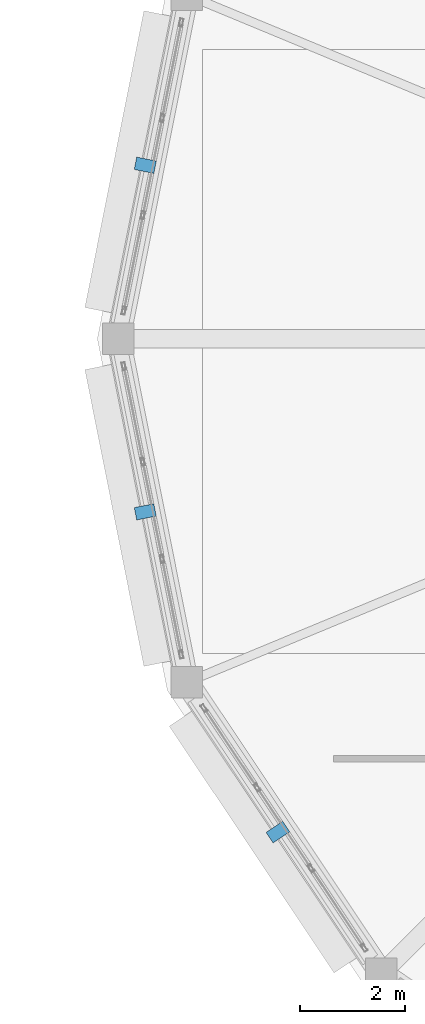
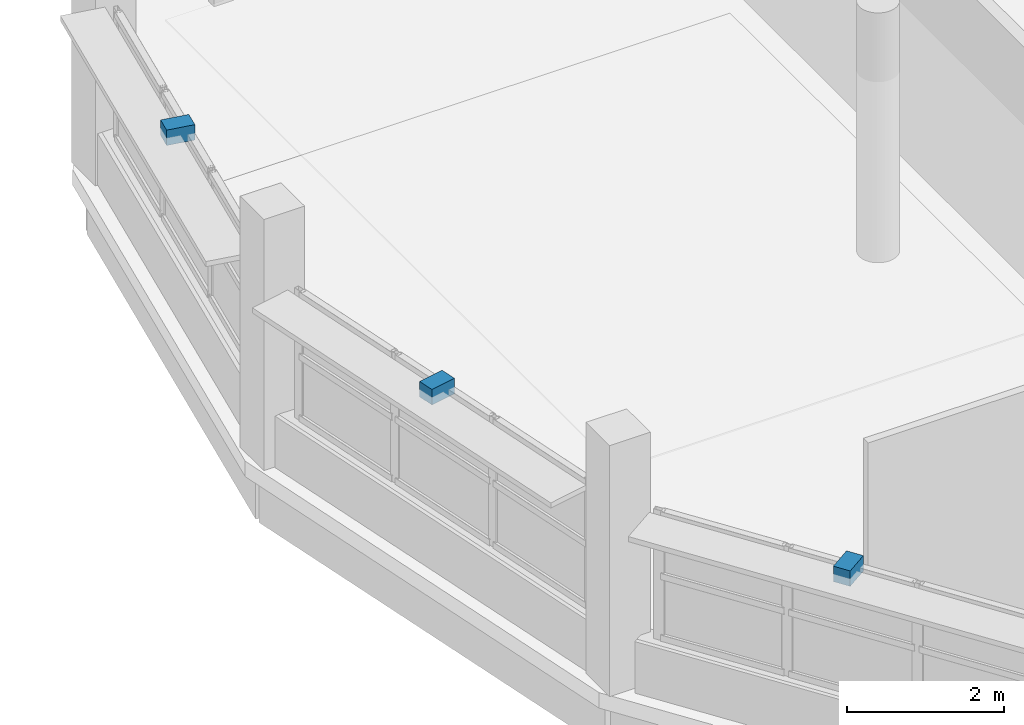
# One storey, part 110 of 121: 3 discrete accessories.
"""IFC4 building model written with IfcOpenShell, lengths in metres."""

from ifc_helpers import new_model, si_unit, direction, frame, origin, origin_2d, place, context, subcontext, project, spatial, rectangle, extrude, material, type_object, element, save


model = new_model("IFC4")

# Units and contexts
model_context = context("Model", 3, precision=1e-05, world=origin(), true_north=direction((0.0, 1.0)))
body_context = subcontext(model_context, "Body", "Model", "MODEL_VIEW")
ifc_project = project(units=[si_unit("LENGTHUNIT", "METRE"), si_unit("AREAUNIT", "SQUARE_METRE"), si_unit("VOLUMEUNIT", "CUBIC_METRE"), si_unit("PLANEANGLEUNIT", "RADIAN"), si_unit("MASSUNIT", "GRAM", prefix="KILO")], contexts=[model_context])

# Site, building, storey
site_placement = place(None, origin())
site = spatial("IfcSite", under=ifc_project, at=site_placement, CompositionType="ELEMENT")
building_placement = place(site_placement, origin())
building = spatial("IfcBuilding", under=site, at=building_placement, Name="Vespera Passage Community Centre", CompositionType="ELEMENT")
storey_placement = place(building_placement, frame((0.0, 0.0, 8.699951171875)))
storey = spatial("IfcBuildingStorey", under=building, at=storey_placement, Name="L02", CompositionType="ELEMENT", Elevation=8.699951171875)

# Discrete accessories
ifc_material = material(Name="Steel ASTM A572 Grade 50", Category="steel")
discrete_accessory_type = type_object("IfcDiscreteAccessoryType", Name="ACC-BRACKET", PredefinedType="BRACKET", material=ifc_material)
for number, where, z_axis, x_axis, name in (
    (1, (124.41357421875, 28.29931640625, 2.705078125), (0.0, 0.0, 1.0), (0.195090322016, 0.980785280403, 0.0), "V3 L02 Solar Eyebrow 8 Bracket"),
    (2, (124.41357421875, 21.70068359375, 2.705078125), (0.0, 0.0, 1.0), (-0.195090322016, 0.980785280403, 0.0), "V3 L02 Solar Eyebrow 9 Bracket"),
    (3, (126.938720703125, 15.6044921875, 2.705078125), (0.0, 0.0, 1.0), (-0.555555721053, 0.831479308706, 0.0), "V3 L02 Solar Eyebrow 10 Bracket"),
):
    element("IfcDiscreteAccessory", number, at=place(storey_placement, frame(where, z_axis=z_axis, x_axis=x_axis)), inside=storey, type_object=discrete_accessory_type, Name=name, PredefinedType="BRACKET", context=body_context, shape_type="SweptSolid", body=[
        extrude(rectangle(XDim=0.239990234375, YDim=0.3798828125, at=origin_2d()), origin(), (0.0, 0.0, 1.0), 0.239990234375),
    ])

save(model, "model.ifc")
